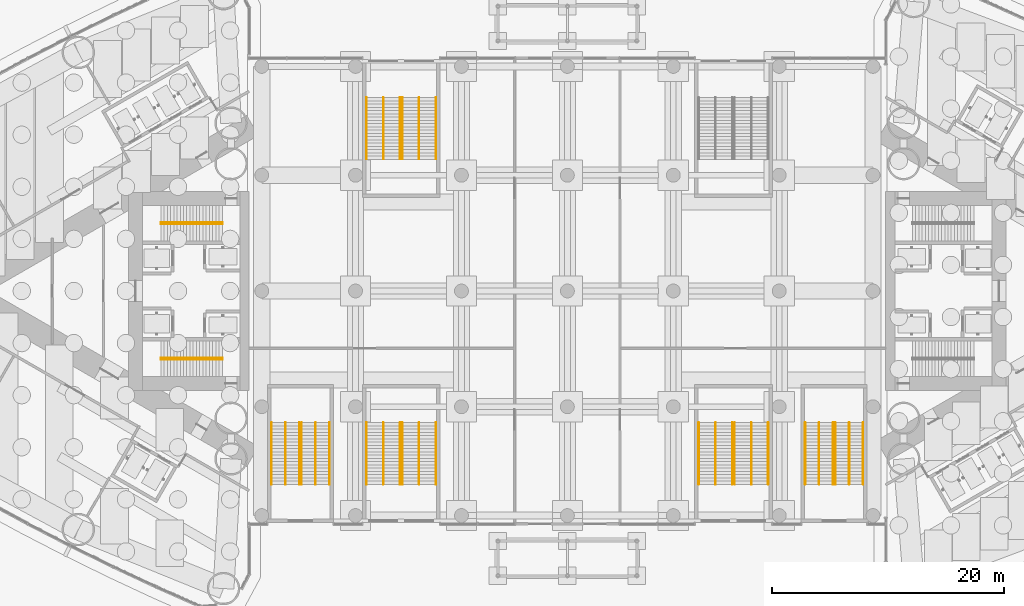
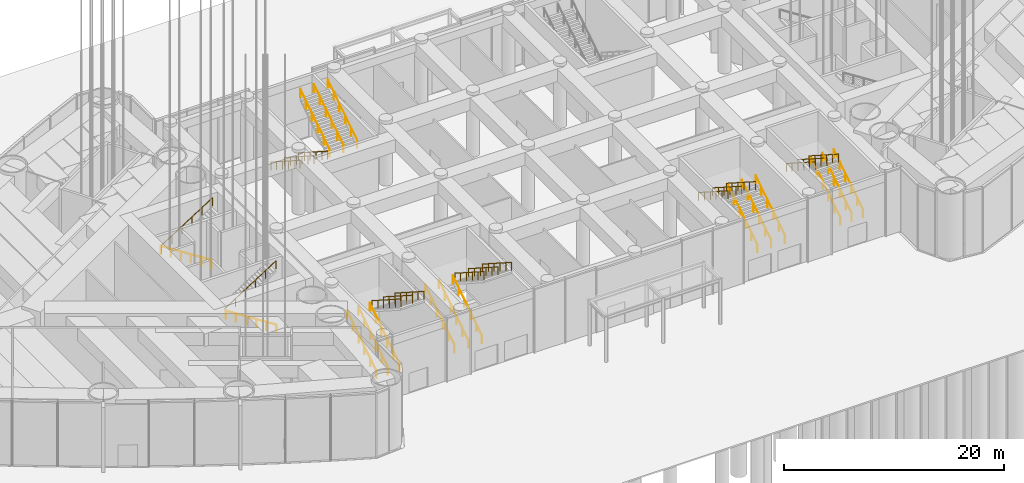
# One storey, part 27 of 43: 34 railings.
"""IFC4 building model written with IfcOpenShell, lengths in metres."""

from ifc_helpers import new_model, si_unit, direction, frame, origin, origin_2d, place, context, subcontext, project, spatial, circle, extrude, material, type_object, element, save


model = new_model("IFC4")

# Units and contexts
model_context = context("Model", 3, precision=1e-05, world=origin(), true_north=direction((0.0, 1.0)))
body_context = subcontext(model_context, "Body", "Model", "MODEL_VIEW")
ifc_project = project(units=[si_unit("LENGTHUNIT", "METRE"), si_unit("AREAUNIT", "SQUARE_METRE"), si_unit("VOLUMEUNIT", "CUBIC_METRE"), si_unit("PLANEANGLEUNIT", "RADIAN"), si_unit("MASSUNIT", "GRAM", prefix="KILO")], contexts=[model_context])

# Site, building, storey
site_placement = place(None, origin())
site = spatial("IfcSite", under=ifc_project, at=site_placement, CompositionType="ELEMENT")
building_placement = place(site_placement, origin())
building = spatial("IfcBuilding", under=site, at=building_placement, Name="Lancet Gate Hotel", CompositionType="ELEMENT")
storey_placement = place(building_placement, origin())
storey = spatial("IfcBuildingStorey", under=building, at=storey_placement, Name="L00", CompositionType="ELEMENT", Elevation=0.0)

# Railings
ifc_material_1 = material(Name="Stainless steel handrail", Category="steel")
railing_type_1 = type_object("IfcRailingType", Name="Stair centre handrail 900", PredefinedType="HANDRAIL", material=ifc_material_1)
railing_1_placement = place(storey_placement, frame((15.89990234375, -16.699951171875, 0.179931640625)))
element("IfcRailing", 1, at=railing_1_placement, inside=storey, type_object=railing_type_1, Name="PS1 handrail flight 1 centre L00", PredefinedType="HANDRAIL", context=body_context, shape_type="SweptSolid", body=[
    extrude(circle(Radius=0.02392578125, at=origin_2d()), frame((0.0, 0.0, 0.8759765625), z_axis=(0.0, 0.841169695817, 0.540771248162), x_axis=(-1.0, 0.0, 0.0)), (0.0, 0.0, 1.0), 6.32470703125),
    extrude(circle(Radius=0.02099609375, at=origin_2d()), origin(), (0.0, 0.0, 1.0), 0.851806640625),
    extrude(circle(Radius=0.02099609375, at=origin_2d()), frame((0.0, 1.06396484375, 0.68408203125)), (0.0, 0.0, 1.0), 0.851806640625),
    extrude(circle(Radius=0.02099609375, at=origin_2d()), frame((0.0, 2.1279296875, 1.3681640625)), (0.0, 0.0, 1.0), 0.851806640625),
    extrude(circle(Radius=0.02099609375, at=origin_2d()), frame((0.0, 3.192138671875, 2.052001953125)), (0.0, 0.0, 1.0), 0.851806640625),
    extrude(circle(Radius=0.02099609375, at=origin_2d()), frame((0.0, 4.256103515625, 2.736083984375)), (0.0, 0.0, 1.0), 0.851806640625),
    extrude(circle(Radius=0.02099609375, at=origin_2d()), frame((0.0, 5.320068359375, 3.420166015625)), (0.0, 0.0, 1.0), 0.851806640625),
])
railing_2_placement = place(storey_placement, frame((12.800048828125, -11.3798828125, 3.780029296875)))
element("IfcRailing", 2, at=railing_2_placement, inside=storey, type_object=railing_type_1, Name="PS1 handrail flight 2 centre L00", PredefinedType="HANDRAIL", context=body_context, shape_type="SweptSolid", body=[
    extrude(circle(Radius=0.02392578125, at=origin_2d()), frame((0.0, 0.0, 0.8759765625), z_axis=(0.0, -0.841187254898, 0.540743934037), x_axis=(1.0, 0.0, 0.0)), (0.0, 0.0, 1.0), 6.324462890625),
    extrude(circle(Radius=0.02099609375, at=origin_2d()), origin(), (0.0, 0.0, 1.0), 0.851806640625),
    extrude(circle(Radius=0.02099609375, at=origin_2d()), frame((0.0, -1.06396484375, 0.68408203125)), (0.0, 0.0, 1.0), 0.851806640625),
    extrude(circle(Radius=0.02099609375, at=origin_2d()), frame((0.0, -2.1279296875, 1.367919921875)), (0.0, 0.0, 1.0), 0.851806640625),
    extrude(circle(Radius=0.02099609375, at=origin_2d()), frame((0.0, -3.192138671875, 2.052001953125)), (0.0, 0.0, 1.0), 0.851806640625),
    extrude(circle(Radius=0.02099609375, at=origin_2d()), frame((0.0, -4.256103515625, 2.73583984375)), (0.0, 0.0, 1.0), 0.851806640625),
    extrude(circle(Radius=0.02099609375, at=origin_2d()), frame((0.0, -5.320068359375, 3.419921875)), (0.0, 0.0, 1.0), 0.851806640625),
])
railing_3_placement = place(storey_placement, frame((-15.89990234375, -16.699951171875, 0.179931640625)))
element("IfcRailing", 3, at=railing_3_placement, inside=storey, type_object=railing_type_1, Name="PS3 handrail flight 1 centre L00", PredefinedType="HANDRAIL", context=body_context, shape_type="SweptSolid", body=[
    extrude(circle(Radius=0.02392578125, at=origin_2d()), frame((0.0, 0.0, 0.8759765625), z_axis=(0.0, 0.841169695817, 0.540771248162), x_axis=(-1.0, 0.0, 0.0)), (0.0, 0.0, 1.0), 6.32470703125),
    extrude(circle(Radius=0.02099609375, at=origin_2d()), origin(), (0.0, 0.0, 1.0), 0.851806640625),
    extrude(circle(Radius=0.02099609375, at=origin_2d()), frame((0.0, 1.06396484375, 0.68408203125)), (0.0, 0.0, 1.0), 0.851806640625),
    extrude(circle(Radius=0.02099609375, at=origin_2d()), frame((0.0, 2.1279296875, 1.3681640625)), (0.0, 0.0, 1.0), 0.851806640625),
    extrude(circle(Radius=0.02099609375, at=origin_2d()), frame((0.0, 3.192138671875, 2.052001953125)), (0.0, 0.0, 1.0), 0.851806640625),
    extrude(circle(Radius=0.02099609375, at=origin_2d()), frame((0.0, 4.256103515625, 2.736083984375)), (0.0, 0.0, 1.0), 0.851806640625),
    extrude(circle(Radius=0.02099609375, at=origin_2d()), frame((0.0, 5.320068359375, 3.420166015625)), (0.0, 0.0, 1.0), 0.851806640625),
])
railing_4_placement = place(storey_placement, frame((-12.800048828125, -11.3798828125, 3.780029296875)))
element("IfcRailing", 4, at=railing_4_placement, inside=storey, type_object=railing_type_1, Name="PS3 handrail flight 2 centre L00", PredefinedType="HANDRAIL", context=body_context, shape_type="SweptSolid", body=[
    extrude(circle(Radius=0.02392578125, at=origin_2d()), frame((0.0, 0.0, 0.8759765625), z_axis=(0.0, -0.841187254898, 0.540743934037), x_axis=(1.0, 0.0, 0.0)), (0.0, 0.0, 1.0), 6.324462890625),
    extrude(circle(Radius=0.02099609375, at=origin_2d()), origin(), (0.0, 0.0, 1.0), 0.851806640625),
    extrude(circle(Radius=0.02099609375, at=origin_2d()), frame((0.0, -1.06396484375, 0.68408203125)), (0.0, 0.0, 1.0), 0.851806640625),
    extrude(circle(Radius=0.02099609375, at=origin_2d()), frame((0.0, -2.1279296875, 1.367919921875)), (0.0, 0.0, 1.0), 0.851806640625),
    extrude(circle(Radius=0.02099609375, at=origin_2d()), frame((0.0, -3.192138671875, 2.052001953125)), (0.0, 0.0, 1.0), 0.851806640625),
    extrude(circle(Radius=0.02099609375, at=origin_2d()), frame((0.0, -4.256103515625, 2.73583984375)), (0.0, 0.0, 1.0), 0.851806640625),
    extrude(circle(Radius=0.02099609375, at=origin_2d()), frame((0.0, -5.320068359375, 3.419921875)), (0.0, 0.0, 1.0), 0.851806640625),
])
railing_5_placement = place(storey_placement, frame((-15.89990234375, 16.699951171875, 0.179931640625)))
element("IfcRailing", 5, at=railing_5_placement, inside=storey, type_object=railing_type_1, Name="PS4 handrail flight 1 centre L00", PredefinedType="HANDRAIL", context=body_context, shape_type="SweptSolid", body=[
    extrude(circle(Radius=0.02392578125, at=origin_2d()), frame((0.0, 0.0, 0.8759765625), z_axis=(0.0, -0.841169695817, 0.540771248162), x_axis=(1.0, 0.0, 0.0)), (0.0, 0.0, 1.0), 6.32470703125),
    extrude(circle(Radius=0.02099609375, at=origin_2d()), origin(), (0.0, 0.0, 1.0), 0.851806640625),
    extrude(circle(Radius=0.02099609375, at=origin_2d()), frame((0.0, -1.06396484375, 0.68408203125)), (0.0, 0.0, 1.0), 0.851806640625),
    extrude(circle(Radius=0.02099609375, at=origin_2d()), frame((0.0, -2.1279296875, 1.3681640625)), (0.0, 0.0, 1.0), 0.851806640625),
    extrude(circle(Radius=0.02099609375, at=origin_2d()), frame((0.0, -3.192138671875, 2.052001953125)), (0.0, 0.0, 1.0), 0.851806640625),
    extrude(circle(Radius=0.02099609375, at=origin_2d()), frame((0.0, -4.256103515625, 2.736083984375)), (0.0, 0.0, 1.0), 0.851806640625),
    extrude(circle(Radius=0.02099609375, at=origin_2d()), frame((0.0, -5.320068359375, 3.420166015625)), (0.0, 0.0, 1.0), 0.851806640625),
])
railing_6_placement = place(storey_placement, frame((-12.800048828125, 11.3798828125, 3.780029296875)))
element("IfcRailing", 6, at=railing_6_placement, inside=storey, type_object=railing_type_1, Name="PS4 handrail flight 2 centre L00", PredefinedType="HANDRAIL", context=body_context, shape_type="SweptSolid", body=[
    extrude(circle(Radius=0.02392578125, at=origin_2d()), frame((0.0, 0.0, 0.8759765625), z_axis=(0.0, 0.841187254898, 0.540743934037), x_axis=(-1.0, 0.0, 0.0)), (0.0, 0.0, 1.0), 6.324462890625),
    extrude(circle(Radius=0.02099609375, at=origin_2d()), origin(), (0.0, 0.0, 1.0), 0.851806640625),
    extrude(circle(Radius=0.02099609375, at=origin_2d()), frame((0.0, 1.06396484375, 0.68408203125)), (0.0, 0.0, 1.0), 0.851806640625),
    extrude(circle(Radius=0.02099609375, at=origin_2d()), frame((0.0, 2.1279296875, 1.367919921875)), (0.0, 0.0, 1.0), 0.851806640625),
    extrude(circle(Radius=0.02099609375, at=origin_2d()), frame((0.0, 3.192138671875, 2.052001953125)), (0.0, 0.0, 1.0), 0.851806640625),
    extrude(circle(Radius=0.02099609375, at=origin_2d()), frame((0.0, 4.256103515625, 2.73583984375)), (0.0, 0.0, 1.0), 0.851806640625),
    extrude(circle(Radius=0.02099609375, at=origin_2d()), frame((0.0, 5.320068359375, 3.419921875)), (0.0, 0.0, 1.0), 0.851806640625),
])
railing_7_placement = place(storey_placement, frame((24.35009765625, -16.699951171875, 0.179931640625)))
element("IfcRailing", 7, at=railing_7_placement, inside=storey, type_object=railing_type_1, Name="PS5 handrail flight 1 centre L00", PredefinedType="HANDRAIL", context=body_context, shape_type="SweptSolid", body=[
    extrude(circle(Radius=0.02392578125, at=origin_2d()), frame((0.0, 0.0, 0.8759765625), z_axis=(0.0, 0.841169695817, 0.540771248162), x_axis=(-1.0, 0.0, 0.0)), (0.0, 0.0, 1.0), 6.32470703125),
    extrude(circle(Radius=0.02099609375, at=origin_2d()), origin(), (0.0, 0.0, 1.0), 0.851806640625),
    extrude(circle(Radius=0.02099609375, at=origin_2d()), frame((0.0, 1.06396484375, 0.68408203125)), (0.0, 0.0, 1.0), 0.851806640625),
    extrude(circle(Radius=0.02099609375, at=origin_2d()), frame((0.0, 2.1279296875, 1.3681640625)), (0.0, 0.0, 1.0), 0.851806640625),
    extrude(circle(Radius=0.02099609375, at=origin_2d()), frame((0.0, 3.192138671875, 2.052001953125)), (0.0, 0.0, 1.0), 0.851806640625),
    extrude(circle(Radius=0.02099609375, at=origin_2d()), frame((0.0, 4.256103515625, 2.736083984375)), (0.0, 0.0, 1.0), 0.851806640625),
    extrude(circle(Radius=0.02099609375, at=origin_2d()), frame((0.0, 5.320068359375, 3.420166015625)), (0.0, 0.0, 1.0), 0.851806640625),
])
railing_8_placement = place(storey_placement, frame((21.75, -11.3798828125, 3.780029296875)))
element("IfcRailing", 8, at=railing_8_placement, inside=storey, type_object=railing_type_1, Name="PS5 handrail flight 2 centre L00", PredefinedType="HANDRAIL", context=body_context, shape_type="SweptSolid", body=[
    extrude(circle(Radius=0.02392578125, at=origin_2d()), frame((0.0, 0.0, 0.8759765625), z_axis=(0.0, -0.841187254898, 0.540743934037), x_axis=(1.0, 0.0, 0.0)), (0.0, 0.0, 1.0), 6.324462890625),
    extrude(circle(Radius=0.02099609375, at=origin_2d()), origin(), (0.0, 0.0, 1.0), 0.851806640625),
    extrude(circle(Radius=0.02099609375, at=origin_2d()), frame((0.0, -1.06396484375, 0.68408203125)), (0.0, 0.0, 1.0), 0.851806640625),
    extrude(circle(Radius=0.02099609375, at=origin_2d()), frame((0.0, -2.1279296875, 1.367919921875)), (0.0, 0.0, 1.0), 0.851806640625),
    extrude(circle(Radius=0.02099609375, at=origin_2d()), frame((0.0, -3.192138671875, 2.052001953125)), (0.0, 0.0, 1.0), 0.851806640625),
    extrude(circle(Radius=0.02099609375, at=origin_2d()), frame((0.0, -4.256103515625, 2.73583984375)), (0.0, 0.0, 1.0), 0.851806640625),
    extrude(circle(Radius=0.02099609375, at=origin_2d()), frame((0.0, -5.320068359375, 3.419921875)), (0.0, 0.0, 1.0), 0.851806640625),
])
railing_9_placement = place(storey_placement, frame((-24.35009765625, -16.699951171875, 0.179931640625)))
element("IfcRailing", 9, at=railing_9_placement, inside=storey, type_object=railing_type_1, Name="PS6 handrail flight 1 centre L00", PredefinedType="HANDRAIL", context=body_context, shape_type="SweptSolid", body=[
    extrude(circle(Radius=0.02392578125, at=origin_2d()), frame((0.0, 0.0, 0.8759765625), z_axis=(0.0, 0.841169695817, 0.540771248162), x_axis=(-1.0, 0.0, 0.0)), (0.0, 0.0, 1.0), 6.32470703125),
    extrude(circle(Radius=0.02099609375, at=origin_2d()), origin(), (0.0, 0.0, 1.0), 0.851806640625),
    extrude(circle(Radius=0.02099609375, at=origin_2d()), frame((0.0, 1.06396484375, 0.68408203125)), (0.0, 0.0, 1.0), 0.851806640625),
    extrude(circle(Radius=0.02099609375, at=origin_2d()), frame((0.0, 2.1279296875, 1.3681640625)), (0.0, 0.0, 1.0), 0.851806640625),
    extrude(circle(Radius=0.02099609375, at=origin_2d()), frame((0.0, 3.192138671875, 2.052001953125)), (0.0, 0.0, 1.0), 0.851806640625),
    extrude(circle(Radius=0.02099609375, at=origin_2d()), frame((0.0, 4.256103515625, 2.736083984375)), (0.0, 0.0, 1.0), 0.851806640625),
    extrude(circle(Radius=0.02099609375, at=origin_2d()), frame((0.0, 5.320068359375, 3.420166015625)), (0.0, 0.0, 1.0), 0.851806640625),
])
railing_10_placement = place(storey_placement, frame((-21.75, -11.3798828125, 3.780029296875)))
element("IfcRailing", 10, at=railing_10_placement, inside=storey, type_object=railing_type_1, Name="PS6 handrail flight 2 centre L00", PredefinedType="HANDRAIL", context=body_context, shape_type="SweptSolid", body=[
    extrude(circle(Radius=0.02392578125, at=origin_2d()), frame((0.0, 0.0, 0.8759765625), z_axis=(0.0, -0.841187254898, 0.540743934037), x_axis=(1.0, 0.0, 0.0)), (0.0, 0.0, 1.0), 6.324462890625),
    extrude(circle(Radius=0.02099609375, at=origin_2d()), origin(), (0.0, 0.0, 1.0), 0.851806640625),
    extrude(circle(Radius=0.02099609375, at=origin_2d()), frame((0.0, -1.06396484375, 0.68408203125)), (0.0, 0.0, 1.0), 0.851806640625),
    extrude(circle(Radius=0.02099609375, at=origin_2d()), frame((0.0, -2.1279296875, 1.367919921875)), (0.0, 0.0, 1.0), 0.851806640625),
    extrude(circle(Radius=0.02099609375, at=origin_2d()), frame((0.0, -3.192138671875, 2.052001953125)), (0.0, 0.0, 1.0), 0.851806640625),
    extrude(circle(Radius=0.02099609375, at=origin_2d()), frame((0.0, -4.256103515625, 2.73583984375)), (0.0, 0.0, 1.0), 0.851806640625),
    extrude(circle(Radius=0.02099609375, at=origin_2d()), frame((0.0, -5.320068359375, 3.419921875)), (0.0, 0.0, 1.0), 0.851806640625),
])
ifc_material_2 = material(Name="Stainless steel handrail", Category="steel")
railing_type_2 = type_object("IfcRailingType", Name="Stair handrail 900", PredefinedType="HANDRAIL", material=ifc_material_2)
railing_11_placement = place(storey_placement, frame((-29.800048828125, 5.929931640625, 0.179931640625)))
element("IfcRailing", 11, at=railing_11_placement, inside=storey, type_object=railing_type_2, Name="ST1 handrail flight 1 L00", PredefinedType="HANDRAIL", context=body_context, shape_type="SweptSolid", body=[
    extrude(circle(Radius=0.02392578125, at=origin_2d()), frame((0.0, 0.0, 0.8759765625), z_axis=(-0.841169695817, 0.0, 0.540771248162), x_axis=(0.0, -1.0, 0.0)), (0.0, 0.0, 1.0), 6.32470703125),
    extrude(circle(Radius=0.02099609375, at=origin_2d()), origin(), (0.0, 0.0, 1.0), 0.851806640625),
    extrude(circle(Radius=0.02099609375, at=origin_2d()), frame((-1.06396484375, 0.0, 0.68408203125)), (0.0, 0.0, 1.0), 0.851806640625),
    extrude(circle(Radius=0.02099609375, at=origin_2d()), frame((-2.1279296875, 0.0, 1.3681640625)), (0.0, 0.0, 1.0), 0.851806640625),
    extrude(circle(Radius=0.02099609375, at=origin_2d()), frame((-3.192138671875, 0.0, 2.052001953125)), (0.0, 0.0, 1.0), 0.851806640625),
    extrude(circle(Radius=0.02099609375, at=origin_2d()), frame((-4.256103515625, 0.0, 2.736083984375)), (0.0, 0.0, 1.0), 0.851806640625),
    extrude(circle(Radius=0.02099609375, at=origin_2d()), frame((-5.320068359375, 0.0, 3.420166015625)), (0.0, 0.0, 1.0), 0.851806640625),
])
railing_12_placement = place(storey_placement, frame((-35.1201171875, 5.77001953125, 3.780029296875)))
element("IfcRailing", 12, at=railing_12_placement, inside=storey, type_object=railing_type_2, Name="ST1 handrail flight 2 L00", PredefinedType="HANDRAIL", context=body_context, shape_type="SweptSolid", body=[
    extrude(circle(Radius=0.02392578125, at=origin_2d()), frame((0.0, 0.0, 0.8759765625), z_axis=(0.841187254898, 0.0, 0.540743934037), x_axis=(0.0, 1.0, 0.0)), (0.0, 0.0, 1.0), 6.324462890625),
    extrude(circle(Radius=0.02099609375, at=origin_2d()), origin(), (0.0, 0.0, 1.0), 0.851806640625),
    extrude(circle(Radius=0.02099609375, at=origin_2d()), frame((1.06396484375, 0.0, 0.68408203125)), (0.0, 0.0, 1.0), 0.851806640625),
    extrude(circle(Radius=0.02099609375, at=origin_2d()), frame((2.1279296875, 0.0, 1.367919921875)), (0.0, 0.0, 1.0), 0.851806640625),
    extrude(circle(Radius=0.02099609375, at=origin_2d()), frame((3.192138671875, 0.0, 2.052001953125)), (0.0, 0.0, 1.0), 0.851806640625),
    extrude(circle(Radius=0.02099609375, at=origin_2d()), frame((4.256103515625, 0.0, 2.73583984375)), (0.0, 0.0, 1.0), 0.851806640625),
    extrude(circle(Radius=0.02099609375, at=origin_2d()), frame((5.320068359375, 0.0, 3.419921875)), (0.0, 0.0, 1.0), 0.851806640625),
])
railing_13_placement = place(storey_placement, frame((-29.800048828125, -5.929931640625, 0.179931640625)))
element("IfcRailing", 13, at=railing_13_placement, inside=storey, type_object=railing_type_2, Name="ST2 handrail flight 1 L00", PredefinedType="HANDRAIL", context=body_context, shape_type="SweptSolid", body=[
    extrude(circle(Radius=0.02392578125, at=origin_2d()), frame((0.0, 0.0, 0.8759765625), z_axis=(-0.841169695817, 0.0, 0.540771248162), x_axis=(0.0, -1.0, 0.0)), (0.0, 0.0, 1.0), 6.32470703125),
    extrude(circle(Radius=0.02099609375, at=origin_2d()), origin(), (0.0, 0.0, 1.0), 0.851806640625),
    extrude(circle(Radius=0.02099609375, at=origin_2d()), frame((-1.06396484375, 0.0, 0.68408203125)), (0.0, 0.0, 1.0), 0.851806640625),
    extrude(circle(Radius=0.02099609375, at=origin_2d()), frame((-2.1279296875, 0.0, 1.3681640625)), (0.0, 0.0, 1.0), 0.851806640625),
    extrude(circle(Radius=0.02099609375, at=origin_2d()), frame((-3.192138671875, 0.0, 2.052001953125)), (0.0, 0.0, 1.0), 0.851806640625),
    extrude(circle(Radius=0.02099609375, at=origin_2d()), frame((-4.256103515625, 0.0, 2.736083984375)), (0.0, 0.0, 1.0), 0.851806640625),
    extrude(circle(Radius=0.02099609375, at=origin_2d()), frame((-5.320068359375, 0.0, 3.420166015625)), (0.0, 0.0, 1.0), 0.851806640625),
])
railing_14_placement = place(storey_placement, frame((-35.1201171875, -5.77001953125, 3.780029296875)))
element("IfcRailing", 14, at=railing_14_placement, inside=storey, type_object=railing_type_2, Name="ST2 handrail flight 2 L00", PredefinedType="HANDRAIL", context=body_context, shape_type="SweptSolid", body=[
    extrude(circle(Radius=0.02392578125, at=origin_2d()), frame((0.0, 0.0, 0.8759765625), z_axis=(0.841187254898, 0.0, 0.540743934037), x_axis=(0.0, 1.0, 0.0)), (0.0, 0.0, 1.0), 6.324462890625),
    extrude(circle(Radius=0.02099609375, at=origin_2d()), origin(), (0.0, 0.0, 1.0), 0.851806640625),
    extrude(circle(Radius=0.02099609375, at=origin_2d()), frame((1.06396484375, 0.0, 0.68408203125)), (0.0, 0.0, 1.0), 0.851806640625),
    extrude(circle(Radius=0.02099609375, at=origin_2d()), frame((2.1279296875, 0.0, 1.367919921875)), (0.0, 0.0, 1.0), 0.851806640625),
    extrude(circle(Radius=0.02099609375, at=origin_2d()), frame((3.192138671875, 0.0, 2.052001953125)), (0.0, 0.0, 1.0), 0.851806640625),
    extrude(circle(Radius=0.02099609375, at=origin_2d()), frame((4.256103515625, 0.0, 2.73583984375)), (0.0, 0.0, 1.0), 0.851806640625),
    extrude(circle(Radius=0.02099609375, at=origin_2d()), frame((5.320068359375, 0.0, 3.419921875)), (0.0, 0.0, 1.0), 0.851806640625),
])
for number, where, name in (
    (15, (14.449951171875, -16.699951171875, 0.179931640625), "PS1 handrail flight 1 left L00"),
    (16, (17.35009765625, -16.699951171875, 0.179931640625), "PS1 handrail flight 1 right L00"),
):
    element("IfcRailing", number, at=place(storey_placement, frame(where)), inside=storey, type_object=railing_type_2, Name=name, PredefinedType="HANDRAIL", context=body_context, shape_type="SweptSolid", body=[
        extrude(circle(Radius=0.02392578125, at=origin_2d()), frame((0.0, 0.0, 0.8759765625), z_axis=(0.0, 0.841169695817, 0.540771248162), x_axis=(-1.0, 0.0, 0.0)), (0.0, 0.0, 1.0), 6.32470703125),
        extrude(circle(Radius=0.02099609375, at=origin_2d()), origin(), (0.0, 0.0, 1.0), 0.851806640625),
        extrude(circle(Radius=0.02099609375, at=origin_2d()), frame((0.0, 1.06396484375, 0.68408203125)), (0.0, 0.0, 1.0), 0.851806640625),
        extrude(circle(Radius=0.02099609375, at=origin_2d()), frame((0.0, 2.1279296875, 1.3681640625)), (0.0, 0.0, 1.0), 0.851806640625),
        extrude(circle(Radius=0.02099609375, at=origin_2d()), frame((0.0, 3.192138671875, 2.052001953125)), (0.0, 0.0, 1.0), 0.851806640625),
        extrude(circle(Radius=0.02099609375, at=origin_2d()), frame((0.0, 4.256103515625, 2.736083984375)), (0.0, 0.0, 1.0), 0.851806640625),
        extrude(circle(Radius=0.02099609375, at=origin_2d()), frame((0.0, 5.320068359375, 3.420166015625)), (0.0, 0.0, 1.0), 0.851806640625),
    ])
for number, where, name in (
    (17, (11.35009765625, -11.3798828125, 3.780029296875), "PS1 handrail flight 2 left L00"),
    (18, (14.25, -11.3798828125, 3.780029296875), "PS1 handrail flight 2 right L00"),
):
    element("IfcRailing", number, at=place(storey_placement, frame(where)), inside=storey, type_object=railing_type_2, Name=name, PredefinedType="HANDRAIL", context=body_context, shape_type="SweptSolid", body=[
        extrude(circle(Radius=0.02392578125, at=origin_2d()), frame((0.0, 0.0, 0.8759765625), z_axis=(0.0, -0.841187254898, 0.540743934037), x_axis=(1.0, 0.0, 0.0)), (0.0, 0.0, 1.0), 6.324462890625),
        extrude(circle(Radius=0.02099609375, at=origin_2d()), origin(), (0.0, 0.0, 1.0), 0.851806640625),
        extrude(circle(Radius=0.02099609375, at=origin_2d()), frame((0.0, -1.06396484375, 0.68408203125)), (0.0, 0.0, 1.0), 0.851806640625),
        extrude(circle(Radius=0.02099609375, at=origin_2d()), frame((0.0, -2.1279296875, 1.367919921875)), (0.0, 0.0, 1.0), 0.851806640625),
        extrude(circle(Radius=0.02099609375, at=origin_2d()), frame((0.0, -3.192138671875, 2.052001953125)), (0.0, 0.0, 1.0), 0.851806640625),
        extrude(circle(Radius=0.02099609375, at=origin_2d()), frame((0.0, -4.256103515625, 2.73583984375)), (0.0, 0.0, 1.0), 0.851806640625),
        extrude(circle(Radius=0.02099609375, at=origin_2d()), frame((0.0, -5.320068359375, 3.419921875)), (0.0, 0.0, 1.0), 0.851806640625),
    ])
for number, where, name in (
    (19, (-17.35009765625, -16.699951171875, 0.179931640625), "PS3 handrail flight 1 left L00"),
    (20, (-14.449951171875, -16.699951171875, 0.179931640625), "PS3 handrail flight 1 right L00"),
):
    element("IfcRailing", number, at=place(storey_placement, frame(where)), inside=storey, type_object=railing_type_2, Name=name, PredefinedType="HANDRAIL", context=body_context, shape_type="SweptSolid", body=[
        extrude(circle(Radius=0.02392578125, at=origin_2d()), frame((0.0, 0.0, 0.8759765625), z_axis=(0.0, 0.841169695817, 0.540771248162), x_axis=(-1.0, 0.0, 0.0)), (0.0, 0.0, 1.0), 6.32470703125),
        extrude(circle(Radius=0.02099609375, at=origin_2d()), origin(), (0.0, 0.0, 1.0), 0.851806640625),
        extrude(circle(Radius=0.02099609375, at=origin_2d()), frame((0.0, 1.06396484375, 0.68408203125)), (0.0, 0.0, 1.0), 0.851806640625),
        extrude(circle(Radius=0.02099609375, at=origin_2d()), frame((0.0, 2.1279296875, 1.3681640625)), (0.0, 0.0, 1.0), 0.851806640625),
        extrude(circle(Radius=0.02099609375, at=origin_2d()), frame((0.0, 3.192138671875, 2.052001953125)), (0.0, 0.0, 1.0), 0.851806640625),
        extrude(circle(Radius=0.02099609375, at=origin_2d()), frame((0.0, 4.256103515625, 2.736083984375)), (0.0, 0.0, 1.0), 0.851806640625),
        extrude(circle(Radius=0.02099609375, at=origin_2d()), frame((0.0, 5.320068359375, 3.420166015625)), (0.0, 0.0, 1.0), 0.851806640625),
    ])
for number, where, name in (
    (21, (-14.25, -11.3798828125, 3.780029296875), "PS3 handrail flight 2 left L00"),
    (22, (-11.35009765625, -11.3798828125, 3.780029296875), "PS3 handrail flight 2 right L00"),
):
    element("IfcRailing", number, at=place(storey_placement, frame(where)), inside=storey, type_object=railing_type_2, Name=name, PredefinedType="HANDRAIL", context=body_context, shape_type="SweptSolid", body=[
        extrude(circle(Radius=0.02392578125, at=origin_2d()), frame((0.0, 0.0, 0.8759765625), z_axis=(0.0, -0.841187254898, 0.540743934037), x_axis=(1.0, 0.0, 0.0)), (0.0, 0.0, 1.0), 6.324462890625),
        extrude(circle(Radius=0.02099609375, at=origin_2d()), origin(), (0.0, 0.0, 1.0), 0.851806640625),
        extrude(circle(Radius=0.02099609375, at=origin_2d()), frame((0.0, -1.06396484375, 0.68408203125)), (0.0, 0.0, 1.0), 0.851806640625),
        extrude(circle(Radius=0.02099609375, at=origin_2d()), frame((0.0, -2.1279296875, 1.367919921875)), (0.0, 0.0, 1.0), 0.851806640625),
        extrude(circle(Radius=0.02099609375, at=origin_2d()), frame((0.0, -3.192138671875, 2.052001953125)), (0.0, 0.0, 1.0), 0.851806640625),
        extrude(circle(Radius=0.02099609375, at=origin_2d()), frame((0.0, -4.256103515625, 2.73583984375)), (0.0, 0.0, 1.0), 0.851806640625),
        extrude(circle(Radius=0.02099609375, at=origin_2d()), frame((0.0, -5.320068359375, 3.419921875)), (0.0, 0.0, 1.0), 0.851806640625),
    ])
for number, where, name in (
    (23, (-17.35009765625, 16.699951171875, 0.179931640625), "PS4 handrail flight 1 left L00"),
    (24, (-14.449951171875, 16.699951171875, 0.179931640625), "PS4 handrail flight 1 right L00"),
):
    element("IfcRailing", number, at=place(storey_placement, frame(where)), inside=storey, type_object=railing_type_2, Name=name, PredefinedType="HANDRAIL", context=body_context, shape_type="SweptSolid", body=[
        extrude(circle(Radius=0.02392578125, at=origin_2d()), frame((0.0, 0.0, 0.8759765625), z_axis=(0.0, -0.841169695817, 0.540771248162), x_axis=(1.0, 0.0, 0.0)), (0.0, 0.0, 1.0), 6.32470703125),
        extrude(circle(Radius=0.02099609375, at=origin_2d()), origin(), (0.0, 0.0, 1.0), 0.851806640625),
        extrude(circle(Radius=0.02099609375, at=origin_2d()), frame((0.0, -1.06396484375, 0.68408203125)), (0.0, 0.0, 1.0), 0.851806640625),
        extrude(circle(Radius=0.02099609375, at=origin_2d()), frame((0.0, -2.1279296875, 1.3681640625)), (0.0, 0.0, 1.0), 0.851806640625),
        extrude(circle(Radius=0.02099609375, at=origin_2d()), frame((0.0, -3.192138671875, 2.052001953125)), (0.0, 0.0, 1.0), 0.851806640625),
        extrude(circle(Radius=0.02099609375, at=origin_2d()), frame((0.0, -4.256103515625, 2.736083984375)), (0.0, 0.0, 1.0), 0.851806640625),
        extrude(circle(Radius=0.02099609375, at=origin_2d()), frame((0.0, -5.320068359375, 3.420166015625)), (0.0, 0.0, 1.0), 0.851806640625),
    ])
for number, where, name in (
    (25, (-14.25, 11.3798828125, 3.780029296875), "PS4 handrail flight 2 left L00"),
    (26, (-11.35009765625, 11.3798828125, 3.780029296875), "PS4 handrail flight 2 right L00"),
):
    element("IfcRailing", number, at=place(storey_placement, frame(where)), inside=storey, type_object=railing_type_2, Name=name, PredefinedType="HANDRAIL", context=body_context, shape_type="SweptSolid", body=[
        extrude(circle(Radius=0.02392578125, at=origin_2d()), frame((0.0, 0.0, 0.8759765625), z_axis=(0.0, 0.841187254898, 0.540743934037), x_axis=(-1.0, 0.0, 0.0)), (0.0, 0.0, 1.0), 6.324462890625),
        extrude(circle(Radius=0.02099609375, at=origin_2d()), origin(), (0.0, 0.0, 1.0), 0.851806640625),
        extrude(circle(Radius=0.02099609375, at=origin_2d()), frame((0.0, 1.06396484375, 0.68408203125)), (0.0, 0.0, 1.0), 0.851806640625),
        extrude(circle(Radius=0.02099609375, at=origin_2d()), frame((0.0, 2.1279296875, 1.367919921875)), (0.0, 0.0, 1.0), 0.851806640625),
        extrude(circle(Radius=0.02099609375, at=origin_2d()), frame((0.0, 3.192138671875, 2.052001953125)), (0.0, 0.0, 1.0), 0.851806640625),
        extrude(circle(Radius=0.02099609375, at=origin_2d()), frame((0.0, 4.256103515625, 2.73583984375)), (0.0, 0.0, 1.0), 0.851806640625),
        extrude(circle(Radius=0.02099609375, at=origin_2d()), frame((0.0, 5.320068359375, 3.419921875)), (0.0, 0.0, 1.0), 0.851806640625),
    ])
for number, where, name in (
    (27, (23.14990234375, -16.699951171875, 0.179931640625), "PS5 handrail flight 1 left L00"),
    (28, (25.550048828125, -16.699951171875, 0.179931640625), "PS5 handrail flight 1 right L00"),
):
    element("IfcRailing", number, at=place(storey_placement, frame(where)), inside=storey, type_object=railing_type_2, Name=name, PredefinedType="HANDRAIL", context=body_context, shape_type="SweptSolid", body=[
        extrude(circle(Radius=0.02392578125, at=origin_2d()), frame((0.0, 0.0, 0.8759765625), z_axis=(0.0, 0.841169695817, 0.540771248162), x_axis=(-1.0, 0.0, 0.0)), (0.0, 0.0, 1.0), 6.32470703125),
        extrude(circle(Radius=0.02099609375, at=origin_2d()), origin(), (0.0, 0.0, 1.0), 0.851806640625),
        extrude(circle(Radius=0.02099609375, at=origin_2d()), frame((0.0, 1.06396484375, 0.68408203125)), (0.0, 0.0, 1.0), 0.851806640625),
        extrude(circle(Radius=0.02099609375, at=origin_2d()), frame((0.0, 2.1279296875, 1.3681640625)), (0.0, 0.0, 1.0), 0.851806640625),
        extrude(circle(Radius=0.02099609375, at=origin_2d()), frame((0.0, 3.192138671875, 2.052001953125)), (0.0, 0.0, 1.0), 0.851806640625),
        extrude(circle(Radius=0.02099609375, at=origin_2d()), frame((0.0, 4.256103515625, 2.736083984375)), (0.0, 0.0, 1.0), 0.851806640625),
        extrude(circle(Radius=0.02099609375, at=origin_2d()), frame((0.0, 5.320068359375, 3.420166015625)), (0.0, 0.0, 1.0), 0.851806640625),
    ])
for number, where, name in (
    (29, (20.550048828125, -11.3798828125, 3.780029296875), "PS5 handrail flight 2 left L00"),
    (30, (22.949951171875, -11.3798828125, 3.780029296875), "PS5 handrail flight 2 right L00"),
):
    element("IfcRailing", number, at=place(storey_placement, frame(where)), inside=storey, type_object=railing_type_2, Name=name, PredefinedType="HANDRAIL", context=body_context, shape_type="SweptSolid", body=[
        extrude(circle(Radius=0.02392578125, at=origin_2d()), frame((0.0, 0.0, 0.8759765625), z_axis=(0.0, -0.841187254898, 0.540743934037), x_axis=(1.0, 0.0, 0.0)), (0.0, 0.0, 1.0), 6.324462890625),
        extrude(circle(Radius=0.02099609375, at=origin_2d()), origin(), (0.0, 0.0, 1.0), 0.851806640625),
        extrude(circle(Radius=0.02099609375, at=origin_2d()), frame((0.0, -1.06396484375, 0.68408203125)), (0.0, 0.0, 1.0), 0.851806640625),
        extrude(circle(Radius=0.02099609375, at=origin_2d()), frame((0.0, -2.1279296875, 1.367919921875)), (0.0, 0.0, 1.0), 0.851806640625),
        extrude(circle(Radius=0.02099609375, at=origin_2d()), frame((0.0, -3.192138671875, 2.052001953125)), (0.0, 0.0, 1.0), 0.851806640625),
        extrude(circle(Radius=0.02099609375, at=origin_2d()), frame((0.0, -4.256103515625, 2.73583984375)), (0.0, 0.0, 1.0), 0.851806640625),
        extrude(circle(Radius=0.02099609375, at=origin_2d()), frame((0.0, -5.320068359375, 3.419921875)), (0.0, 0.0, 1.0), 0.851806640625),
    ])
for number, where, name in (
    (31, (-25.550048828125, -16.699951171875, 0.179931640625), "PS6 handrail flight 1 left L00"),
    (32, (-23.14990234375, -16.699951171875, 0.179931640625), "PS6 handrail flight 1 right L00"),
):
    element("IfcRailing", number, at=place(storey_placement, frame(where)), inside=storey, type_object=railing_type_2, Name=name, PredefinedType="HANDRAIL", context=body_context, shape_type="SweptSolid", body=[
        extrude(circle(Radius=0.02392578125, at=origin_2d()), frame((0.0, 0.0, 0.8759765625), z_axis=(0.0, 0.841169695817, 0.540771248162), x_axis=(-1.0, 0.0, 0.0)), (0.0, 0.0, 1.0), 6.32470703125),
        extrude(circle(Radius=0.02099609375, at=origin_2d()), origin(), (0.0, 0.0, 1.0), 0.851806640625),
        extrude(circle(Radius=0.02099609375, at=origin_2d()), frame((0.0, 1.06396484375, 0.68408203125)), (0.0, 0.0, 1.0), 0.851806640625),
        extrude(circle(Radius=0.02099609375, at=origin_2d()), frame((0.0, 2.1279296875, 1.3681640625)), (0.0, 0.0, 1.0), 0.851806640625),
        extrude(circle(Radius=0.02099609375, at=origin_2d()), frame((0.0, 3.192138671875, 2.052001953125)), (0.0, 0.0, 1.0), 0.851806640625),
        extrude(circle(Radius=0.02099609375, at=origin_2d()), frame((0.0, 4.256103515625, 2.736083984375)), (0.0, 0.0, 1.0), 0.851806640625),
        extrude(circle(Radius=0.02099609375, at=origin_2d()), frame((0.0, 5.320068359375, 3.420166015625)), (0.0, 0.0, 1.0), 0.851806640625),
    ])
for number, where, name in (
    (33, (-22.949951171875, -11.3798828125, 3.780029296875), "PS6 handrail flight 2 left L00"),
    (34, (-20.550048828125, -11.3798828125, 3.780029296875), "PS6 handrail flight 2 right L00"),
):
    element("IfcRailing", number, at=place(storey_placement, frame(where)), inside=storey, type_object=railing_type_2, Name=name, PredefinedType="HANDRAIL", context=body_context, shape_type="SweptSolid", body=[
        extrude(circle(Radius=0.02392578125, at=origin_2d()), frame((0.0, 0.0, 0.8759765625), z_axis=(0.0, -0.841187254898, 0.540743934037), x_axis=(1.0, 0.0, 0.0)), (0.0, 0.0, 1.0), 6.324462890625),
        extrude(circle(Radius=0.02099609375, at=origin_2d()), origin(), (0.0, 0.0, 1.0), 0.851806640625),
        extrude(circle(Radius=0.02099609375, at=origin_2d()), frame((0.0, -1.06396484375, 0.68408203125)), (0.0, 0.0, 1.0), 0.851806640625),
        extrude(circle(Radius=0.02099609375, at=origin_2d()), frame((0.0, -2.1279296875, 1.367919921875)), (0.0, 0.0, 1.0), 0.851806640625),
        extrude(circle(Radius=0.02099609375, at=origin_2d()), frame((0.0, -3.192138671875, 2.052001953125)), (0.0, 0.0, 1.0), 0.851806640625),
        extrude(circle(Radius=0.02099609375, at=origin_2d()), frame((0.0, -4.256103515625, 2.73583984375)), (0.0, 0.0, 1.0), 0.851806640625),
        extrude(circle(Radius=0.02099609375, at=origin_2d()), frame((0.0, -5.320068359375, 3.419921875)), (0.0, 0.0, 1.0), 0.851806640625),
    ])

save(model, "model.ifc")
